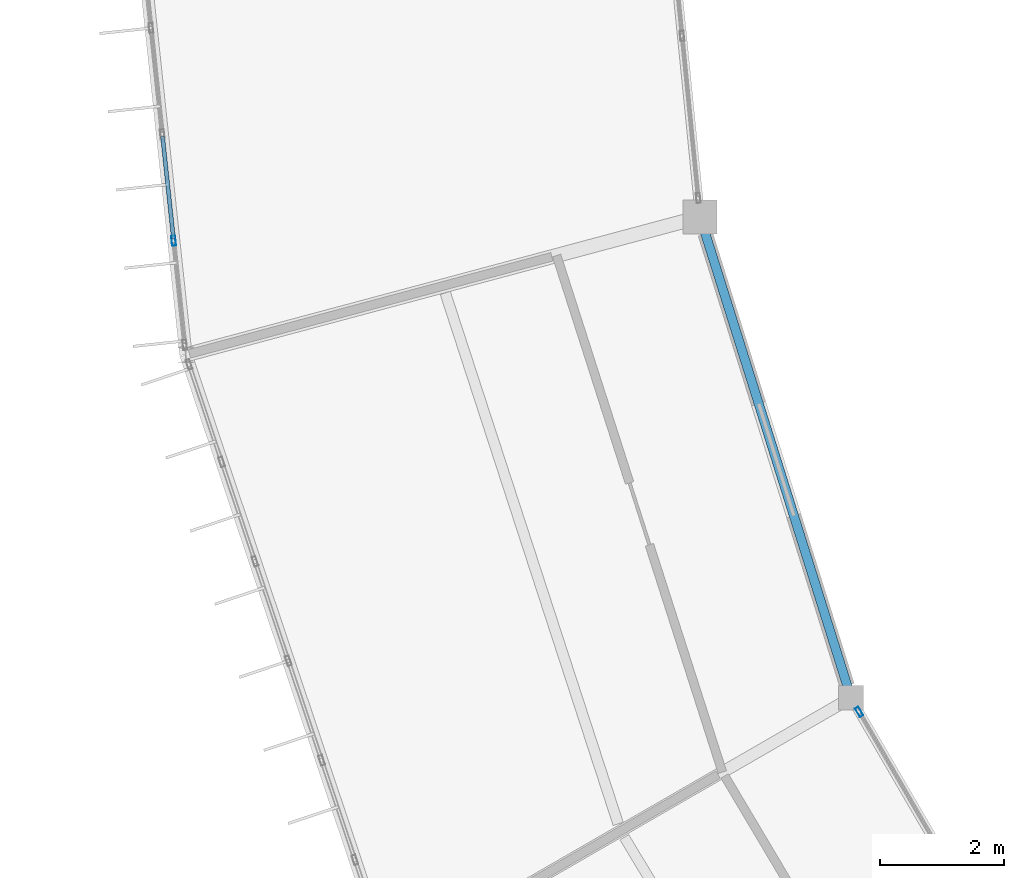
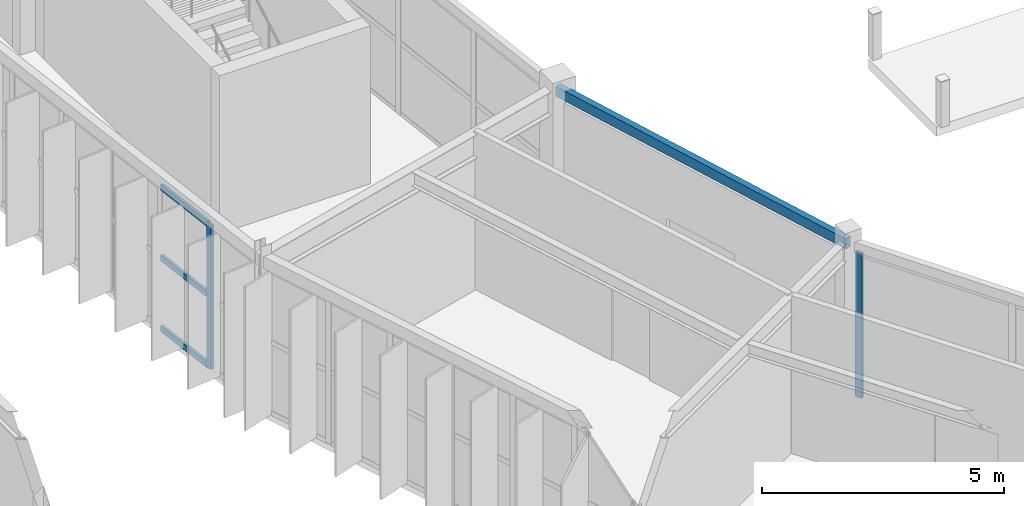
# One storey, part 50 of 157: 5 members, 1 beam, 2 elements without a shape of their own.
"""IFC4 building model written with IfcOpenShell, lengths in metres."""

from ifc_helpers import new_model, si_unit, direction, frame, origin, origin_2d, place, context, subcontext, project, spatial, hollow_rectangle, extrude, material, material_profile, profile_set, type_object, element, aggregate, save


model = new_model("IFC4")

# Units and contexts
model_context = context("Model", 3, precision=1e-05, world=origin(), true_north=direction((0.0, 1.0)))
body_context = subcontext(model_context, "Body", "Model", "MODEL_VIEW")
ifc_project = project(units=[si_unit("LENGTHUNIT", "METRE"), si_unit("AREAUNIT", "SQUARE_METRE"), si_unit("VOLUMEUNIT", "CUBIC_METRE"), si_unit("PLANEANGLEUNIT", "RADIAN"), si_unit("MASSUNIT", "GRAM", prefix="KILO")], contexts=[model_context])

# Site, building, storey
site_placement = place(None, origin())
site = spatial("IfcSite", under=ifc_project, at=site_placement, CompositionType="ELEMENT")
building_placement = place(site_placement, origin())
building = spatial("IfcBuilding", under=site, at=building_placement, Name="Karori Crest Natural Sciences Institute", CompositionType="ELEMENT")
storey_placement = place(building_placement, frame((0.0, 0.0, 13.300048828125)))
storey = spatial("IfcBuildingStorey", under=building, at=storey_placement, Name="L03", CompositionType="ELEMENT", Elevation=13.300048828125)

# Beam
ifc_material_1 = material(Name="Hollow structural steel AS/NZS 1163 Grade C350", Category="steel")
ifc_material_profile_1 = material_profile(ifc_material_1, hollow_rectangle(XDim=0.14990234375, YDim=0.25, WallThickness=0.009033203125, at=origin_2d()), Name="RHS250x150x9")
ifc_profile_set_1 = profile_set([ifc_material_profile_1], Name="Hollow structural steel AS/NZS 1163 Grade C350")
beam_type = type_object("IfcBeamType", Name="BT-16", PredefinedType="SPANDREL", material=ifc_profile_set_1)
beam_placement = place(storey_placement, frame((42.831298828125, 41.56591796875, 3.7900390625), z_axis=(0.299495880683, -0.954097593254, 0.0), x_axis=(0.954097593254, 0.299495880683, 0.0)))
element("IfcBeam", 1, at=beam_placement, inside=storey, type_object=beam_type, Name="Beam B-0409", PredefinedType="SPANDREL", context=body_context, shape_type="SweptSolid", body=[
    extrude(hollow_rectangle(XDim=0.14990234375, YDim=0.25, WallThickness=0.009033203125, at=origin_2d()), origin(), (0.0, 0.0, 1.0), 8.139404296875),
])

# Curtain wall, member
ifc_material_2 = material(Name="Anodised architectural aluminium 6063-T6", Category="aluminium")
curtain_wall_type_1 = type_object("IfcCurtainWallType", Name="CWT-03", PredefinedType="NOTDEFINED", material=ifc_material_2)
curtain_wall_1_placement = place(storey_placement, origin())
curtain_wall_1 = element("IfcCurtainWall", 2, at=curtain_wall_1_placement, inside=storey, type_object=curtain_wall_type_1, Name="Curtain wall CW-0118", PredefinedType="NOTDEFINED")
ifc_material_profile_2 = material_profile(ifc_material_2, hollow_rectangle(XDim=0.06494140625, YDim=0.159912109375, WallThickness=0.00390625, at=origin_2d()), Name="CWM160x65x4")
ifc_profile_set_2 = profile_set([ifc_material_profile_2], Name="Anodised architectural aluminium 6063-T6")
member_type_1 = type_object("IfcMemberType", Name="CWM-01", PredefinedType="MULLION", material=ifc_profile_set_2)
member_1_placement = place(storey_placement, frame((34.328125, 41.18310546875, 0.0), z_axis=(0.0, 0.0, 1.0), x_axis=(-0.994378435661, -0.105884496939, 0.0)))
member_1 = element("IfcMember", 3, at=member_1_placement, type_object=member_type_1, Name="CW-0118 mullion 2", PredefinedType="MULLION", context=body_context, shape_type="SweptSolid", body=[
    extrude(hollow_rectangle(XDim=0.06494140625, YDim=0.159912109375, WallThickness=0.00390625, at=origin_2d()), origin(), (0.0, 0.0, 1.0), 3.625),
])

curtain_wall_type_2 = type_object("IfcCurtainWallType", Name="CWT-15", PredefinedType="NOTDEFINED", material=ifc_material_2)
curtain_wall_2_placement = place(storey_placement, origin())
curtain_wall_2 = element("IfcCurtainWall", 4, at=curtain_wall_2_placement, inside=storey, type_object=curtain_wall_type_2, Name="Curtain wall CW-0122", PredefinedType="NOTDEFINED")
member_2_placement = place(storey_placement, frame((45.400634765625, 33.573486328125, 0.0), z_axis=(0.0, 0.0, 1.0), x_axis=(0.864487154971, 0.502654910341, 0.0)))
member_2 = element("IfcMember", 5, at=member_2_placement, type_object=member_type_1, Name="CW-0122 mullion 1", PredefinedType="MULLION", context=body_context, shape_type="SweptSolid", body=[
    extrude(hollow_rectangle(XDim=0.06494140625, YDim=0.159912109375, WallThickness=0.00390625, at=origin_2d()), origin(), (0.0, 0.0, 1.0), 3.64990234375),
])
aggregate(curtain_wall_2, [member_2])

# Member
ifc_material_profile_3 = material_profile(ifc_material_2, hollow_rectangle(XDim=0.06494140625, YDim=0.14990234375, WallThickness=0.00390625, at=origin_2d()), Name="CWT150x65x4")
ifc_profile_set_3 = profile_set([ifc_material_profile_3], Name="Anodised architectural aluminium 6063-T6")
member_type_2 = type_object("IfcMemberType", Name="CWT-TR2", PredefinedType="USERDEFINED", material=ifc_profile_set_3)
member_3_placement = place(storey_placement, frame((34.32470703125, 41.21533203125, 0.032470703125), z_axis=(-0.105884923842, 0.994378390203, 0.0), x_axis=(-0.994378390203, -0.105884923842, 0.0)))
member_3 = element("IfcMember", 6, at=member_3_placement, type_object=member_type_2, Name="CW-0118 transom 2.1", ObjectType="TRANSOM", PredefinedType="USERDEFINED", context=body_context, shape_type="SweptSolid", body=[
    extrude(hollow_rectangle(XDim=0.06494140625, YDim=0.14990234375, WallThickness=0.00390625, at=origin_2d()), origin(), (0.0, 0.0, 1.0), 1.662353515625),
])

member_4_placement = place(storey_placement, frame((34.32470703125, 41.21533203125, 1.8125), z_axis=(-0.105884923842, 0.994378390203, 0.0), x_axis=(-0.994378390203, -0.105884923842, 0.0)))
member_4 = element("IfcMember", 7, at=member_4_placement, type_object=member_type_2, Name="CW-0118 transom 2.2", ObjectType="TRANSOM", PredefinedType="USERDEFINED", context=body_context, shape_type="SweptSolid", body=[
    extrude(hollow_rectangle(XDim=0.06494140625, YDim=0.14990234375, WallThickness=0.00390625, at=origin_2d()), origin(), (0.0, 0.0, 1.0), 1.662353515625),
])

member_5_placement = place(storey_placement, frame((34.32470703125, 41.21533203125, 3.592529296875), z_axis=(-0.105884923842, 0.994378390203, 0.0), x_axis=(-0.994378390203, -0.105884923842, 0.0)))
member_5 = element("IfcMember", 8, at=member_5_placement, type_object=member_type_2, Name="CW-0118 transom 2.3", ObjectType="TRANSOM", PredefinedType="USERDEFINED", context=body_context, shape_type="SweptSolid", body=[
    extrude(hollow_rectangle(XDim=0.06494140625, YDim=0.14990234375, WallThickness=0.00390625, at=origin_2d()), origin(), (0.0, 0.0, 1.0), 1.662353515625),
])

aggregate(curtain_wall_1, [member_1, member_3, member_4, member_5])

save(model, "model.ifc")
